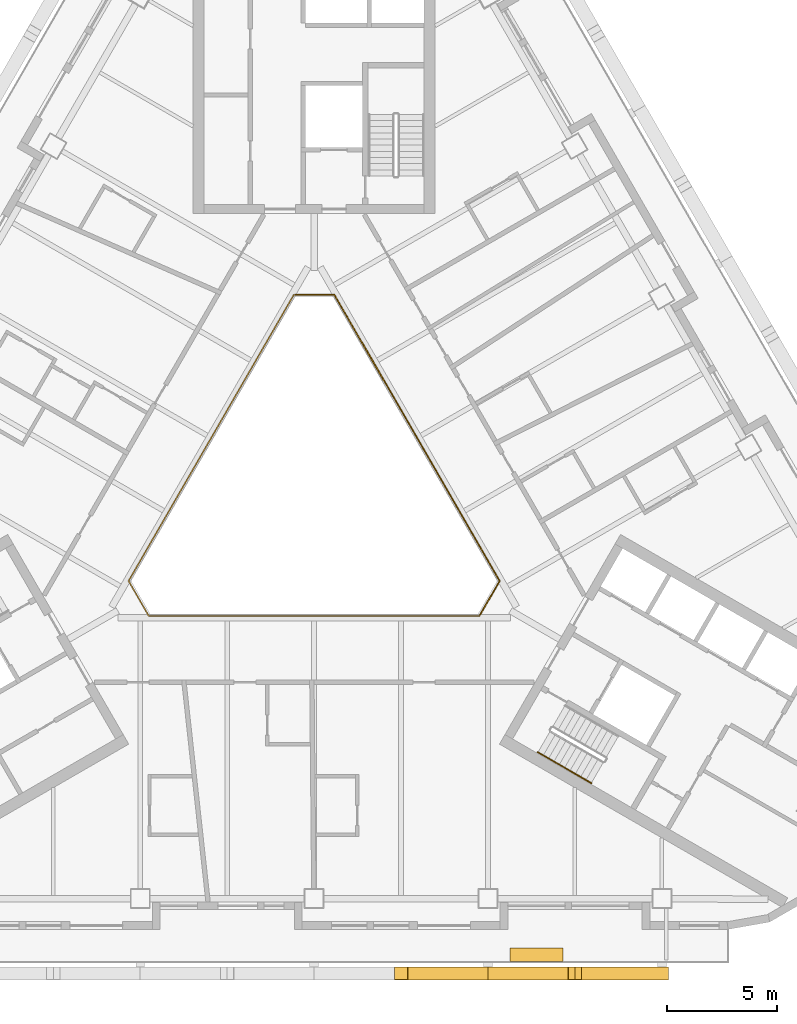
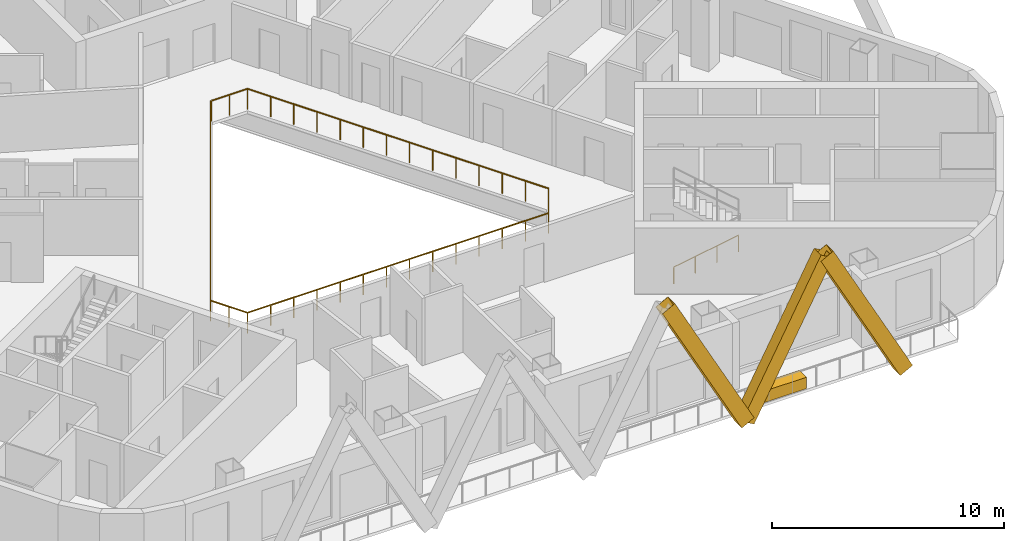
# One storey, part 11 of 14: 3 railings, 3 shading devices, 1 covering.
"""IFC4 building model written with IfcOpenShell, lengths in metres."""

from ifc_helpers import new_model, si_unit, direction, frame, origin, origin_2d, place, context, subcontext, project, spatial, rectangle, hollow_rectangle, circle, extrude, material, material_profile, profile_set, type_object, element, save


model = new_model("IFC4")

# Units and contexts
model_context = context("Model", 3, precision=1e-05, world=origin(), true_north=direction((0.0, 1.0)))
body_context = subcontext(model_context, "Body", "Model", "MODEL_VIEW")
ifc_project = project(units=[si_unit("LENGTHUNIT", "METRE"), si_unit("AREAUNIT", "SQUARE_METRE"), si_unit("VOLUMEUNIT", "CUBIC_METRE"), si_unit("PLANEANGLEUNIT", "RADIAN"), si_unit("MASSUNIT", "GRAM", prefix="KILO")], contexts=[model_context])

# Site, building, storey
site_placement = place(None, origin())
site = spatial("IfcSite", under=ifc_project, at=site_placement, CompositionType="ELEMENT")
building_placement = place(site_placement, origin())
building = spatial("IfcBuilding", under=site, at=building_placement, Name="Apuvela Tower Hotel", CompositionType="ELEMENT")
storey_placement = place(building_placement, frame((0.0, 0.0, 120.5)))
storey = spatial("IfcBuildingStorey", under=building, at=storey_placement, Name="L28", CompositionType="ELEMENT", Elevation=120.5)

# Railing
ifc_material_1 = material(Name="Stainless steel 316 handrail", Category="steel")
railing_type_1 = type_object("IfcRailingType", Name="COR-HANDRAIL-900", PredefinedType="HANDRAIL", material=ifc_material_1)
railing_1_placement = place(storey_placement, frame((10.1689453125, -11.5869140625, 0.168212890625)))
element("IfcRailing", 1, at=railing_1_placement, inside=storey, type_object=railing_type_1, Name="L28 ST3 stair handrail 1", PredefinedType="HANDRAIL", context=body_context, shape_type="SweptSolid", body=[
    extrude(circle(Radius=0.02392578125, at=origin_2d()), frame((0.0, 0.0, 0.8759765625), z_axis=(0.742390482028, -0.42860119049, 0.514934356695), x_axis=(0.49998411664, 0.866034573852, 0.0)), (0.0, 0.0, 1.0), 3.26611328125),
    extrude(rectangle(XDim=0.0419921875, YDim=0.0419921875, at=origin_2d()), origin(), (0.0, 0.0, 1.0), 0.851806640625),
    extrude(rectangle(XDim=0.0419921875, YDim=0.0419921875, at=origin_2d()), frame((0.808349609375, -0.466552734375, 0.560546875)), (0.0, 0.0, 1.0), 0.851806640625),
    extrude(rectangle(XDim=0.0419921875, YDim=0.0419921875, at=origin_2d()), frame((1.616455078125, -0.933349609375, 1.121337890625)), (0.0, 0.0, 1.0), 0.851806640625),
    extrude(rectangle(XDim=0.0419921875, YDim=0.0419921875, at=origin_2d()), frame((2.4248046875, -1.39990234375, 1.681884765625)), (0.0, 0.0, 1.0), 0.851806640625),
])

# Shading devices
ifc_material_2 = material(Name="Aluminium 6063-T6, black anodised", Category="aluminium")
ifc_material_profile = material_profile(ifc_material_2, hollow_rectangle(XDim=0.60009765625, YDim=0.699951171875, WallThickness=0.011962890625, at=origin_2d()), Name="AL BOX 700x600x12")
ifc_profile_set = profile_set([ifc_material_profile], Name="Aluminium 6063-T6, black anodised")
shading_device_type = type_object("IfcShadingDeviceType", Name="ENV-FIN-700x600", PredefinedType="USERDEFINED", material=ifc_profile_set)
for number, where, z_axis, x_axis, name in (
    (2, (7.89990234375, -21.6298828125, -0.10009765625), (-0.470885802113, 0.0, 0.882194174413), (0.0, -1.0, 0.0), "Lattice fin S182"),
    (3, (7.89990234375, -21.6298828125, -0.10009765625), (0.470908452903, 0.0, 0.882182083804), (0.0, 1.0, 0.0), "Lattice fin S183"),
    (4, (15.800048828125, -21.6298828125, -0.10009765625), (-0.470885802113, 0.0, 0.882194174413), (0.0, -1.0, 0.0), "Lattice fin S184"),
):
    element("IfcShadingDevice", number, at=place(storey_placement, frame(where, z_axis=z_axis, x_axis=x_axis)), inside=storey, type_object=shading_device_type, Name=name, ObjectType="FIN", PredefinedType="USERDEFINED", context=body_context, shape_type="SweptSolid", body=[
        extrude(hollow_rectangle(XDim=0.60009765625, YDim=0.699951171875, WallThickness=0.011962890625, at=origin_2d()), origin(), (0.0, 0.0, 1.0), 8.388427734375),
    ])

# Railings
ifc_material_3 = material(Name="Stainless steel 316 rail with laminated glass infill", Category="steel")
railing_type_2 = type_object("IfcRailingType", Name="ENV-GUARD-1100", PredefinedType="GUARDRAIL", material=ifc_material_3)
railing_2_placement = place(storey_placement, frame((-0.923828125, 9.199951171875, 0.0)))
element("IfcRailing", 5, at=railing_2_placement, inside=storey, type_object=railing_type_2, Name="Atrium void guard A L28", PredefinedType="GUARDRAIL", context=body_context, shape_type="SweptSolid", body=[
    extrude(rectangle(XDim=0.050048828125, YDim=0.050048828125, at=origin_2d()), frame((0.0, 0.0, 1.0751953125), z_axis=(-0.499990886379, -0.866030665472, 0.0), x_axis=(0.866030665472, -0.499990886379, 0.0)), (0.0, 0.0, 1.0), 15.010986328125),
    extrude(rectangle(XDim=0.050048828125, YDim=0.050048828125, at=origin_2d()), frame((-7.50537109375, -13.0, 1.0751953125), z_axis=(0.499962699187, -0.866046938348, 0.0), x_axis=(0.866046938348, 0.499962699187, 0.0)), (0.0, 0.0, 1.0), 1.847412109375),
    extrude(rectangle(XDim=0.050048828125, YDim=0.050048828125, at=origin_2d()), frame((-6.581787109375, -14.599853515625, 1.0751953125), z_axis=(1.0, 0.0, 0.0), x_axis=(0.0, 1.0, 0.0)), (0.0, 0.0, 1.0), 15.01123046875),
    extrude(rectangle(XDim=0.0400390625, YDim=0.0400390625, at=origin_2d()), origin(), (0.0, 0.0, 1.0), 1.050048828125),
    extrude(rectangle(XDim=0.0400390625, YDim=0.0400390625, at=origin_2d()), frame((-0.577392578125, -1.0, 0.0)), (0.0, 0.0, 1.0), 1.050048828125),
    extrude(rectangle(XDim=0.0400390625, YDim=0.0400390625, at=origin_2d()), frame((-1.15478515625, -2.0, 0.0)), (0.0, 0.0, 1.0), 1.050048828125),
    extrude(rectangle(XDim=0.0400390625, YDim=0.0400390625, at=origin_2d()), frame((-1.73193359375, -3.0, 0.0)), (0.0, 0.0, 1.0), 1.050048828125),
    extrude(rectangle(XDim=0.0400390625, YDim=0.0400390625, at=origin_2d()), frame((-2.309326171875, -4.0, 0.0)), (0.0, 0.0, 1.0), 1.050048828125),
    extrude(rectangle(XDim=0.0400390625, YDim=0.0400390625, at=origin_2d()), frame((-2.88671875, -5.0, 0.0)), (0.0, 0.0, 1.0), 1.050048828125),
    extrude(rectangle(XDim=0.0400390625, YDim=0.0400390625, at=origin_2d()), frame((-3.464111328125, -6.0, 0.0)), (0.0, 0.0, 1.0), 1.050048828125),
    extrude(rectangle(XDim=0.0400390625, YDim=0.0400390625, at=origin_2d()), frame((-4.041259765625, -7.0, 0.0)), (0.0, 0.0, 1.0), 1.050048828125),
    extrude(rectangle(XDim=0.0400390625, YDim=0.0400390625, at=origin_2d()), frame((-4.61865234375, -8.0, 0.0)), (0.0, 0.0, 1.0), 1.050048828125),
    extrude(rectangle(XDim=0.0400390625, YDim=0.0400390625, at=origin_2d()), frame((-5.196044921875, -9.0, 0.0)), (0.0, 0.0, 1.0), 1.050048828125),
    extrude(rectangle(XDim=0.0400390625, YDim=0.0400390625, at=origin_2d()), frame((-5.7734375, -10.0, 0.0)), (0.0, 0.0, 1.0), 1.050048828125),
    extrude(rectangle(XDim=0.0400390625, YDim=0.0400390625, at=origin_2d()), frame((-6.3505859375, -11.0, 0.0)), (0.0, 0.0, 1.0), 1.050048828125),
    extrude(rectangle(XDim=0.0400390625, YDim=0.0400390625, at=origin_2d()), frame((-6.927978515625, -12.0, 0.0)), (0.0, 0.0, 1.0), 1.050048828125),
    extrude(rectangle(XDim=0.0400390625, YDim=0.0400390625, at=origin_2d()), frame((-7.50537109375, -13.0, 0.0)), (0.0, 0.0, 1.0), 1.050048828125),
    extrude(rectangle(XDim=0.0400390625, YDim=0.0400390625, at=origin_2d()), frame((-7.04345703125, -13.7998046875, 0.0)), (0.0, 0.0, 1.0), 1.050048828125),
    extrude(rectangle(XDim=0.0400390625, YDim=0.0400390625, at=origin_2d()), frame((-6.581787109375, -14.599853515625, 0.0)), (0.0, 0.0, 1.0), 1.050048828125),
    extrude(rectangle(XDim=0.0400390625, YDim=0.0400390625, at=origin_2d()), frame((-5.427001953125, -14.599853515625, 0.0)), (0.0, 0.0, 1.0), 1.050048828125),
    extrude(rectangle(XDim=0.0400390625, YDim=0.0400390625, at=origin_2d()), frame((-4.2724609375, -14.599853515625, 0.0)), (0.0, 0.0, 1.0), 1.050048828125),
    extrude(rectangle(XDim=0.0400390625, YDim=0.0400390625, at=origin_2d()), frame((-3.11767578125, -14.599853515625, 0.0)), (0.0, 0.0, 1.0), 1.050048828125),
    extrude(rectangle(XDim=0.0400390625, YDim=0.0400390625, at=origin_2d()), frame((-1.962890625, -14.599853515625, 0.0)), (0.0, 0.0, 1.0), 1.050048828125),
    extrude(rectangle(XDim=0.0400390625, YDim=0.0400390625, at=origin_2d()), frame((-0.808349609375, -14.599853515625, 0.0)), (0.0, 0.0, 1.0), 1.050048828125),
    extrude(rectangle(XDim=0.0400390625, YDim=0.0400390625, at=origin_2d()), frame((0.346435546875, -14.599853515625, 0.0)), (0.0, 0.0, 1.0), 1.050048828125),
    extrude(rectangle(XDim=0.0400390625, YDim=0.0400390625, at=origin_2d()), frame((1.501220703125, -14.599853515625, 0.0)), (0.0, 0.0, 1.0), 1.050048828125),
    extrude(rectangle(XDim=0.0400390625, YDim=0.0400390625, at=origin_2d()), frame((2.656005859375, -14.599853515625, 0.0)), (0.0, 0.0, 1.0), 1.050048828125),
    extrude(rectangle(XDim=0.0400390625, YDim=0.0400390625, at=origin_2d()), frame((3.810546875, -14.599853515625, 0.0)), (0.0, 0.0, 1.0), 1.050048828125),
    extrude(rectangle(XDim=0.0400390625, YDim=0.0400390625, at=origin_2d()), frame((4.96533203125, -14.599853515625, 0.0)), (0.0, 0.0, 1.0), 1.050048828125),
    extrude(rectangle(XDim=0.0400390625, YDim=0.0400390625, at=origin_2d()), frame((6.1201171875, -14.599853515625, 0.0)), (0.0, 0.0, 1.0), 1.050048828125),
    extrude(rectangle(XDim=0.0400390625, YDim=0.0400390625, at=origin_2d()), frame((7.274658203125, -14.599853515625, 0.0)), (0.0, 0.0, 1.0), 1.050048828125),
    extrude(rectangle(XDim=0.0400390625, YDim=0.0400390625, at=origin_2d()), frame((8.429443359375, -14.599853515625, 0.0)), (0.0, 0.0, 1.0), 1.050048828125),
])
railing_3_placement = place(storey_placement, frame((7.53564453125, -5.347900390625, 0.0)))
element("IfcRailing", 6, at=railing_3_placement, inside=storey, type_object=railing_type_2, Name="Atrium void guard B L28", PredefinedType="GUARDRAIL", context=body_context, shape_type="SweptSolid", body=[
    extrude(rectangle(XDim=0.050048828125, YDim=0.050048828125, at=origin_2d()), frame((0.0, 0.0, 1.0751953125), z_axis=(0.499958946799, 0.866049104564, 0.0), x_axis=(-0.866049104564, 0.499958946799, 0.0)), (0.0, 0.0, 1.0), 1.787353515625),
    extrude(rectangle(XDim=0.050048828125, YDim=0.050048828125, at=origin_2d()), frame((0.8935546875, 1.5478515625, 1.0751953125), z_axis=(-0.499990886379, 0.866030665472, 0.0), x_axis=(-0.866030665472, -0.499990886379, 0.0)), (0.0, 0.0, 1.0), 15.010986328125),
    extrude(rectangle(XDim=0.050048828125, YDim=0.050048828125, at=origin_2d()), frame((-6.61181640625, 14.5478515625, 1.0751953125), z_axis=(-1.0, 0.0, 0.0), x_axis=(0.0, -1.0, 0.0)), (0.0, 0.0, 1.0), 1.78759765625),
    extrude(rectangle(XDim=0.0400390625, YDim=0.0400390625, at=origin_2d()), origin(), (0.0, 0.0, 1.0), 1.050048828125),
    extrude(rectangle(XDim=0.0400390625, YDim=0.0400390625, at=origin_2d()), frame((0.44677734375, 0.77392578125, 0.0)), (0.0, 0.0, 1.0), 1.050048828125),
    extrude(rectangle(XDim=0.0400390625, YDim=0.0400390625, at=origin_2d()), frame((0.8935546875, 1.5478515625, 0.0)), (0.0, 0.0, 1.0), 1.050048828125),
    extrude(rectangle(XDim=0.0400390625, YDim=0.0400390625, at=origin_2d()), frame((0.316162109375, 2.5478515625, 0.0)), (0.0, 0.0, 1.0), 1.050048828125),
    extrude(rectangle(XDim=0.0400390625, YDim=0.0400390625, at=origin_2d()), frame((-0.26123046875, 3.5478515625, 0.0)), (0.0, 0.0, 1.0), 1.050048828125),
    extrude(rectangle(XDim=0.0400390625, YDim=0.0400390625, at=origin_2d()), frame((-0.83837890625, 4.5478515625, 0.0)), (0.0, 0.0, 1.0), 1.050048828125),
    extrude(rectangle(XDim=0.0400390625, YDim=0.0400390625, at=origin_2d()), frame((-1.415771484375, 5.5478515625, 0.0)), (0.0, 0.0, 1.0), 1.050048828125),
    extrude(rectangle(XDim=0.0400390625, YDim=0.0400390625, at=origin_2d()), frame((-1.9931640625, 6.5478515625, 0.0)), (0.0, 0.0, 1.0), 1.050048828125),
    extrude(rectangle(XDim=0.0400390625, YDim=0.0400390625, at=origin_2d()), frame((-2.570556640625, 7.5478515625, 0.0)), (0.0, 0.0, 1.0), 1.050048828125),
    extrude(rectangle(XDim=0.0400390625, YDim=0.0400390625, at=origin_2d()), frame((-3.147705078125, 8.5478515625, 0.0)), (0.0, 0.0, 1.0), 1.050048828125),
    extrude(rectangle(XDim=0.0400390625, YDim=0.0400390625, at=origin_2d()), frame((-3.72509765625, 9.5478515625, 0.0)), (0.0, 0.0, 1.0), 1.050048828125),
    extrude(rectangle(XDim=0.0400390625, YDim=0.0400390625, at=origin_2d()), frame((-4.302490234375, 10.5478515625, 0.0)), (0.0, 0.0, 1.0), 1.050048828125),
    extrude(rectangle(XDim=0.0400390625, YDim=0.0400390625, at=origin_2d()), frame((-4.8798828125, 11.5478515625, 0.0)), (0.0, 0.0, 1.0), 1.050048828125),
    extrude(rectangle(XDim=0.0400390625, YDim=0.0400390625, at=origin_2d()), frame((-5.45703125, 12.5478515625, 0.0)), (0.0, 0.0, 1.0), 1.050048828125),
    extrude(rectangle(XDim=0.0400390625, YDim=0.0400390625, at=origin_2d()), frame((-6.034423828125, 13.5478515625, 0.0)), (0.0, 0.0, 1.0), 1.050048828125),
    extrude(rectangle(XDim=0.0400390625, YDim=0.0400390625, at=origin_2d()), frame((-6.61181640625, 14.5478515625, 0.0)), (0.0, 0.0, 1.0), 1.050048828125),
    extrude(rectangle(XDim=0.0400390625, YDim=0.0400390625, at=origin_2d()), frame((-7.505615234375, 14.5478515625, 0.0)), (0.0, 0.0, 1.0), 1.050048828125),
    extrude(rectangle(XDim=0.0400390625, YDim=0.0400390625, at=origin_2d()), frame((-8.3994140625, 14.5478515625, 0.0)), (0.0, 0.0, 1.0), 1.050048828125),
])

# Covering
ifc_material_4 = material(Name="Planting substrate and soil, planted")
covering_type = type_object("IfcCoveringType", Name="ENV-PLANTER-2400x600", PredefinedType="USERDEFINED", material=ifc_material_4)
covering_placement = place(storey_placement, frame((10.10009765625, -20.780029296875, 0.0), z_axis=(0.0, 0.0, 1.0), x_axis=(1.0, 0.0, 0.0)))
element("IfcCovering", 7, at=covering_placement, inside=storey, type_object=covering_type, Name="Planter S2", ObjectType="PLANTER", PredefinedType="USERDEFINED", context=body_context, shape_type="SweptSolid", body=[
    extrude(rectangle(XDim=2.39990234375, YDim=0.60009765625, at=origin_2d()), origin(), (0.0, 0.0, 1.0), 0.60009765625),
])

save(model, "model.ifc")
